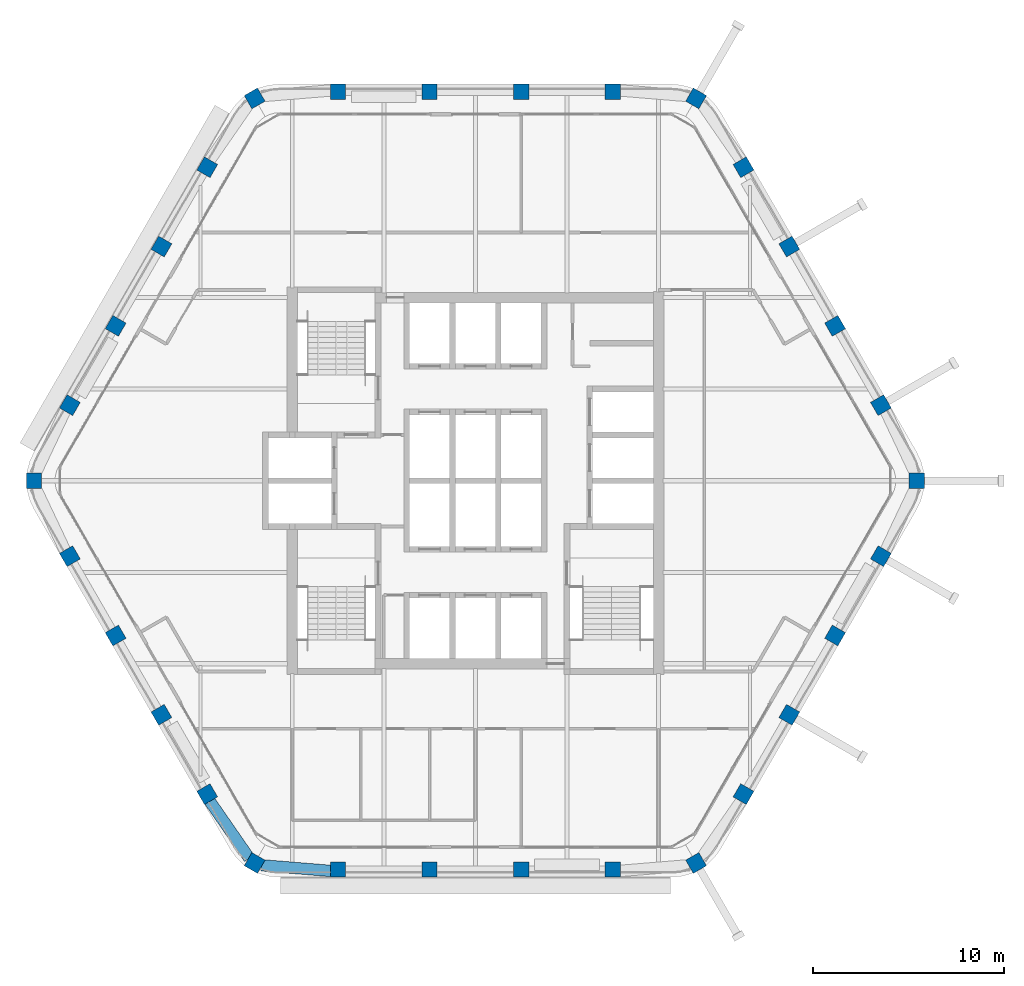
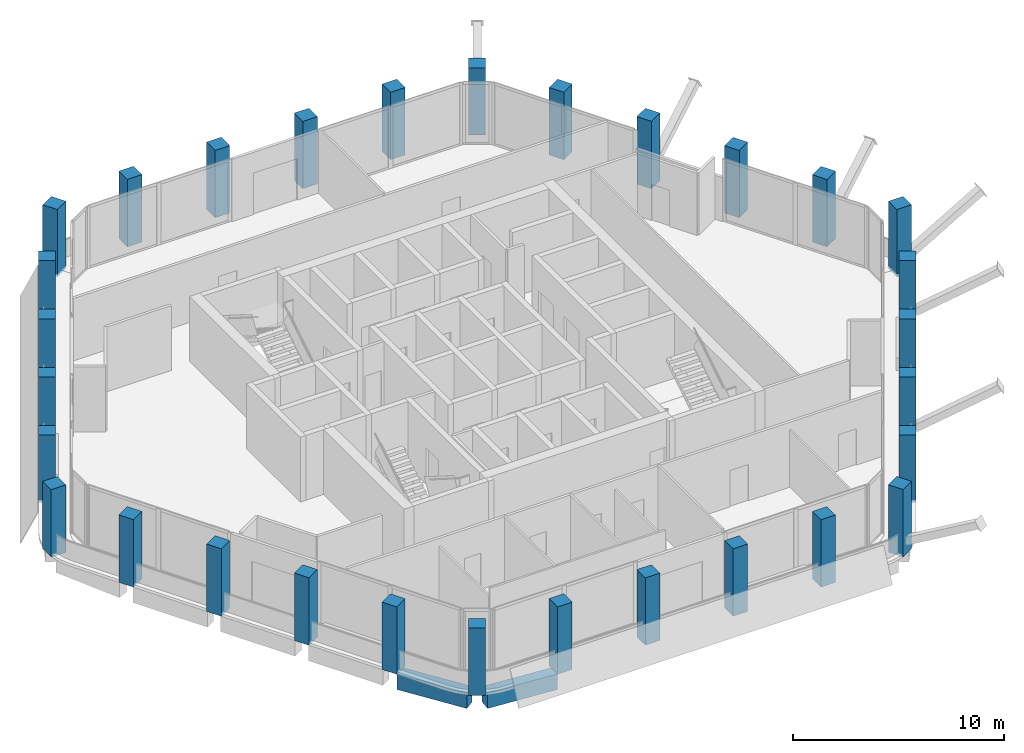
# One storey, part 1 of 14: 30 columns, 2 beams.
"""IFC4 building model written with IfcOpenShell, lengths in metres."""

import ifcopenshell
import ifcopenshell.guid

model = None  # the IFC model being written
_history = None  # IfcOwnerHistory: only IFC2X3 demands one
_inside = {}  # id of a spatial element -> (the spatial element, [elements in it])
_under = {}  # id of a project, library or spatial element -> (it, [spatial elements below it])
_declared = {}  # id of a project -> (the project, [libraries it declares])
_typed = {}  # id of a type object -> (the type object, [elements of that type])
_made_of = {}  # id of a material, layer set ... -> (it, [elements and type objects made of it])


def new_model(schema):
    """Start an empty IFC model of exactly this schema.

    Asked for "IFC4X3", IfcOpenShell would pick the latest addendum, in which some entities
    have other attributes; the version numbers below select the first issue.
    IFC2X3 requires an IfcOwnerHistory on every rooted entity: one is made here for all.
    """
    global model, _history
    if schema == "IFC4X3":
        model = ifcopenshell.file(schema_version=(4, 3, 0, 0))
    else:
        model = ifcopenshell.file(schema=schema)
    _inside.clear()
    _under.clear()
    _declared.clear()
    _typed.clear()
    _made_of.clear()
    _history = None
    if model.schema == "IFC2X3":
        org = make("IfcOrganization", Name="unknown")
        user = make(
            "IfcPersonAndOrganization",
            ThePerson=make("IfcPerson", FamilyName="unknown"),
            TheOrganization=org,
        )
        app = make(
            "IfcApplication",
            ApplicationDeveloper=org,
            Version="unknown",
            ApplicationFullName="unknown",
            ApplicationIdentifier="unknown",
        )
        _history = make(
            "IfcOwnerHistory",
            OwningUser=user,
            OwningApplication=app,
            ChangeAction="ADDED",
            CreationDate=0,
        )
    return model


def make(cls, **values):
    """One entity of the class cls with the attributes given. An attribute that is None is left unset."""
    return model.create_entity(
        cls, **{name: value for name, value in values.items() if value is not None}
    )


def rooted(cls, **values):
    """An entity with a GlobalId (a new one), such as an element, a storey or a relation."""
    return make(cls, GlobalId=ifcopenshell.guid.new(), OwnerHistory=_history, **values)


def si_unit(unit_type, name, prefix=None):
    """IfcSIUnit, for example si_unit("LENGTHUNIT", "METRE", prefix="MILLI")."""
    return make("IfcSIUnit", UnitType=unit_type, Prefix=prefix, Name=name)


def assignment(units):
    """IfcUnitAssignment: the units of a project."""
    return None if units is None else make("IfcUnitAssignment", Units=units)


def point(xyz):
    """IfcCartesianPoint."""
    return None if xyz is None else make("IfcCartesianPoint", Coordinates=xyz)


def direction(xyz):
    """IfcDirection."""
    return None if xyz is None else make("IfcDirection", DirectionRatios=xyz)


def frame(location, z_axis=None, x_axis=None):
    """IfcAxis2Placement3D, a coordinate frame: its origin and axes. An axis left out is left unset."""
    return make(
        "IfcAxis2Placement3D",
        Location=point(location),
        Axis=direction(z_axis),
        RefDirection=direction(x_axis),
    )


def frame_2d(location, x_axis=None):
    """IfcAxis2Placement2D, a coordinate frame in the plane: its origin and x axis."""
    return make(
        "IfcAxis2Placement2D", Location=point(location), RefDirection=direction(x_axis)
    )


def origin():
    """The frame at (0, 0, 0) with its axes left unset."""
    return frame((0.0, 0.0, 0.0))


def origin_2d():
    """The frame at (0, 0) in the plane with its x axis left unset."""
    return frame_2d((0.0, 0.0))


def place(relative_to, where):
    """IfcLocalPlacement: puts the frame where relative to a parent placement (None: the world)."""
    return make(
        "IfcLocalPlacement", PlacementRelTo=relative_to, RelativePlacement=where
    )


def context(
    kind, dimensions, precision=None, world=None, true_north=None, identifier=None
):
    """IfcGeometricRepresentationContext, for example the 3D "Model" context."""
    return make(
        "IfcGeometricRepresentationContext",
        ContextIdentifier=identifier,
        ContextType=kind,
        CoordinateSpaceDimension=dimensions,
        Precision=precision,
        WorldCoordinateSystem=world,
        TrueNorth=true_north,
    )


def subcontext(parent, identifier, kind, view, scale=None):
    """IfcGeometricRepresentationSubContext, for example "Body" below "Model"."""
    return make(
        "IfcGeometricRepresentationSubContext",
        ContextIdentifier=identifier,
        ContextType=kind,
        ParentContext=parent,
        TargetScale=scale,
        TargetView=view,
    )


def project(units=None, contexts=None):
    """IfcProject with its units and contexts."""
    return rooted(
        "IfcProject",
        Name="project",
        RepresentationContexts=contexts,
        UnitsInContext=assignment(units),
    )


def spatial(cls, under=None, at=None, **own):
    """A site, building, storey or space (cls), placed at a placement, below another one or the project."""
    s = rooted(cls, ObjectPlacement=at, **own)
    if under is not None:
        _under.setdefault(under.id(), (under, []))[1].append(s)
    return s


def profile(cls, at=None, kind="AREA", **sizes):
    """A parametric profile (cls). Its sizes go by their IFC names, for example OverallWidth=200.0."""
    return make(cls, ProfileType=kind, Position=at, **sizes)


def rectangle(**sizes):
    """IfcRectangleProfileDef."""
    return profile("IfcRectangleProfileDef", **sizes)


def extrude(swept, where, along, depth):
    """IfcExtrudedAreaSolid: the profile swept, set in the frame where, extruded along a direction by depth."""
    return make(
        "IfcExtrudedAreaSolid",
        SweptArea=swept,
        Position=where,
        ExtrudedDirection=direction(along),
        Depth=depth,
    )


def shape(context_of_items, identifier, shape_type, items):
    """IfcShapeRepresentation: the items that make up one representation, for example the "Body"."""
    return make(
        "IfcShapeRepresentation",
        ContextOfItems=context_of_items,
        RepresentationIdentifier=identifier,
        RepresentationType=shape_type,
        Items=items,
    )


def material(Name=None, Category=None):
    """IfcMaterial."""
    return make("IfcMaterial", Name=Name, Category=Category)


def material_profile(
    of_material, cross_section, Name=None, Category=None, Priority=None
):
    """IfcMaterialProfile: a cross section and its material."""
    return make(
        "IfcMaterialProfile",
        Name=Name,
        Material=of_material,
        Profile=cross_section,
        Priority=Priority,
        Category=Category,
    )


def profile_set(profiles, Name=None, composite=None):
    """IfcMaterialProfileSet."""
    return make(
        "IfcMaterialProfileSet",
        Name=Name,
        MaterialProfiles=profiles,
        CompositeProfile=composite,
    )


def made_of(thing, what):
    """Note that an element or type object is made of a material, layer set ...; save() writes the relation."""
    if what is not None:
        _made_of.setdefault(what.id(), (what, []))[1].append(thing)
    return thing


def type_object(cls, material=None, **own):
    """A type object (cls), such as IfcWallType, which elements share."""
    return made_of(rooted(cls, **own), material)


def element(
    cls,
    number,
    at=None,
    inside=None,
    cuts=None,
    type_object=None,
    material=None,
    context=None,
    identifier="Body",
    shape_type=None,
    held_by="IfcProductDefinitionShape",
    body=None,
    shapes=None,
    **own,
):
    """One element of the class cls, such as IfcWall. Its Tag is "e" and its number.

    at: its placement. inside: the storey or other place that contains it. cuts: it is an
    opening in that element (IfcRelVoidsElement). A single representation is given by context,
    identifier, shape_type and body (its items); several are given by shapes. held_by: the class
    of the entity that holds the representations. save() writes the other relations.
    """
    e = rooted(cls, Tag="e%d" % number, ObjectPlacement=at, **own)
    if body is not None:
        shapes = [shape(context, identifier, shape_type, body)]
    if shapes is not None:
        e.Representation = make(held_by, Representations=shapes)
    if inside is not None:
        _inside.setdefault(inside.id(), (inside, []))[1].append(e)
    if cuts is not None:
        rooted(
            "IfcRelVoidsElement", RelatingBuildingElement=cuts, RelatedOpeningElement=e
        )
    if type_object is not None:
        _typed.setdefault(type_object.id(), (type_object, []))[1].append(e)
    return made_of(e, material)


def aggregate(whole, parts):
    """IfcRelAggregates: a whole, such as a stair, and the parts it consists of."""
    return rooted("IfcRelAggregates", RelatingObject=whole, RelatedObjects=parts)


def save(model, path):
    """Write the relations noted so far, then the file.

    IfcRelAggregates (storeys below a building ...), IfcRelContainedInSpatialStructure (elements
    in a storey), IfcRelDefinesByType, IfcRelAssociatesMaterial and IfcRelDeclares: one each for
    every whole, place, type object, material and project.
    """
    for whole, parts in _under.values():
        aggregate(whole, parts)
    for where, things in _inside.values():
        rooted(
            "IfcRelContainedInSpatialStructure",
            RelatedElements=things,
            RelatingStructure=where,
        )
    for kind, things in _typed.values():
        rooted("IfcRelDefinesByType", RelatedObjects=things, RelatingType=kind)
    for what, things in _made_of.values():
        rooted("IfcRelAssociatesMaterial", RelatedObjects=things, RelatingMaterial=what)
    for by, libraries in _declared.values():
        rooted("IfcRelDeclares", RelatingContext=by, RelatedDefinitions=libraries)
    model.write(path)


model = new_model("IFC4")

# Units and contexts
model_context = context("Model", 3, precision=1e-05, world=origin(), true_north=direction((0.0, 1.0)))
body_context = subcontext(model_context, "Body", "Model", "MODEL_VIEW")
ifc_project = project(units=[si_unit("LENGTHUNIT", "METRE"), si_unit("AREAUNIT", "SQUARE_METRE"), si_unit("VOLUMEUNIT", "CUBIC_METRE"), si_unit("PLANEANGLEUNIT", "RADIAN"), si_unit("MASSUNIT", "GRAM", prefix="KILO")], contexts=[model_context])

# Site, building, storey
site_placement = place(None, origin())
site = spatial("IfcSite", under=ifc_project, at=site_placement, CompositionType="ELEMENT")
building_placement = place(site_placement, origin())
building = spatial("IfcBuilding", under=site, at=building_placement, Name="Kolab Exchange Tower", CompositionType="ELEMENT")
storey_placement = place(building_placement, frame((0.0, 0.0, 281.300048828125)))
storey = spatial("IfcBuildingStorey", under=building, at=storey_placement, Name="L63", CompositionType="ELEMENT", Elevation=281.300048828125)

# Columns
ifc_material = material(Name="Concrete C50/60", Category="concrete")
ifc_material_profile_1 = material_profile(ifc_material, rectangle(XDim=0.800048828125, YDim=0.800048828125, at=origin_2d()), Name="RC800")
ifc_profile_set_1 = profile_set([ifc_material_profile_1], Name="Concrete C50/60")
column_type = type_object("IfcColumnType", Name="PERIMETER COLUMN 800 SQ C50/60", PredefinedType="COLUMN", material=ifc_profile_set_1)
for number, where, z_axis, x_axis, name in (
    (1, (-11.56787109375, 20.036376953125, -0.150146484375), (0.0, 0.0, 1.0), (0.866025403784, 0.5, 0.0), "col/L63/F1-01"),
    (2, (-7.199951171875, 20.384521484375, -0.150146484375), (0.0, 0.0, 1.0), (1.0, 0.0, 0.0), "col/L63/F1-02"),
    (3, (-2.39990234375, 20.384521484375, -0.150146484375), (0.0, 0.0, 1.0), (1.0, 0.0, 0.0), "col/L63/F1-03"),
    (4, (2.39990234375, 20.384521484375, -0.150146484375), (0.0, 0.0, 1.0), (1.0, 0.0, 0.0), "col/L63/F1-04"),
    (5, (7.199951171875, 20.384521484375, -0.150146484375), (0.0, 0.0, 1.0), (1.0, 0.0, 0.0), "col/L63/F1-05"),
    (6, (11.56787109375, 20.036376953125, -0.150146484375), (0.0, 0.0, 1.0), (0.5, 0.866025403784, 0.0), "col/L63/F2-01"),
    (7, (14.0537109375, 16.427734375, -0.150146484375), (0.0, 0.0, 1.0), (0.866025403784, 0.5, 0.0), "col/L63/F2-02"),
    (8, (16.45361328125, 12.270751953125, -0.150146484375), (0.0, 0.0, 1.0), (0.866025403784, 0.5, 0.0), "col/L63/F2-03"),
    (9, (18.853515625, 8.11376953125, -0.150146484375), (0.0, 0.0, 1.0), (0.866025403784, 0.5, 0.0), "col/L63/F2-04"),
    (10, (21.253662109375, 3.95703125, -0.150146484375), (0.0, 0.0, 1.0), (0.866025403784, 0.5, 0.0), "col/L63/F2-05"),
    (11, (23.135986328125, 0.0, -0.150146484375), (0.0, 0.0, 1.0), (1.0, 0.0, 0.0), "col/L63/F3-01"),
    (12, (21.253662109375, -3.95703125, -0.150146484375), (0.0, 0.0, 1.0), (0.5, 0.866025403784, 0.0), "col/L63/F3-02"),
    (13, (18.853515625, -8.11376953125, -0.150146484375), (0.0, 0.0, 1.0), (0.5, 0.866025403784, 0.0), "col/L63/F3-03"),
    (14, (16.45361328125, -12.270751953125, -0.150146484375), (0.0, 0.0, 1.0), (0.5, 0.866025403784, 0.0), "col/L63/F3-04"),
    (15, (14.0537109375, -16.427734375, -0.150146484375), (0.0, 0.0, 1.0), (0.5, 0.866025403784, 0.0), "col/L63/F3-05"),
    (16, (11.56787109375, -20.036376953125, -0.150146484375), (0.0, 0.0, 1.0), (0.866025403784, 0.5, 0.0), "col/L63/F4-01"),
    (17, (7.199951171875, -20.384521484375, -0.150146484375), (0.0, 0.0, 1.0), (1.0, 0.0, 0.0), "col/L63/F4-02"),
    (18, (2.39990234375, -20.384521484375, -0.150146484375), (0.0, 0.0, 1.0), (1.0, 0.0, 0.0), "col/L63/F4-03"),
    (19, (-2.39990234375, -20.384521484375, -0.150146484375), (0.0, 0.0, 1.0), (1.0, 0.0, 0.0), "col/L63/F4-04"),
    (20, (-7.199951171875, -20.384521484375, -0.150146484375), (0.0, 0.0, 1.0), (1.0, 0.0, 0.0), "col/L63/F4-05"),
    (21, (-11.56787109375, -20.036376953125, -0.150146484375), (0.0, 0.0, 1.0), (0.5, 0.866025403784, 0.0), "col/L63/F5-01"),
    (22, (-14.0537109375, -16.427734375, -0.150146484375), (0.0, 0.0, 1.0), (0.866025403784, 0.5, 0.0), "col/L63/F5-02"),
    (23, (-16.45361328125, -12.270751953125, -0.150146484375), (0.0, 0.0, 1.0), (0.866025403784, 0.5, 0.0), "col/L63/F5-03"),
    (24, (-18.853515625, -8.11376953125, -0.150146484375), (0.0, 0.0, 1.0), (0.866025403784, 0.5, 0.0), "col/L63/F5-04"),
    (25, (-21.253662109375, -3.95703125, -0.150146484375), (0.0, 0.0, 1.0), (0.866025403784, 0.5, 0.0), "col/L63/F5-05"),
    (26, (-23.135986328125, 0.0, -0.150146484375), (0.0, 0.0, 1.0), (1.0, 0.0, 0.0), "col/L63/F6-01"),
    (27, (-21.253662109375, 3.95703125, -0.150146484375), (0.0, 0.0, 1.0), (0.5, 0.866025403784, 0.0), "col/L63/F6-02"),
    (28, (-18.853515625, 8.11376953125, -0.150146484375), (0.0, 0.0, 1.0), (0.5, 0.866025403784, 0.0), "col/L63/F6-03"),
    (29, (-16.45361328125, 12.270751953125, -0.150146484375), (0.0, 0.0, 1.0), (0.5, 0.866025403784, 0.0), "col/L63/F6-04"),
    (30, (-14.0537109375, 16.427734375, -0.150146484375), (0.0, 0.0, 1.0), (0.5, 0.866025403784, 0.0), "col/L63/F6-05"),
):
    element("IfcColumn", number, at=place(storey_placement, frame(where, z_axis=z_axis, x_axis=x_axis)), inside=storey, type_object=column_type, Name=name, PredefinedType="COLUMN", context=body_context, shape_type="SweptSolid", body=[
        extrude(rectangle(XDim=0.800048828125, YDim=0.800048828125, at=origin_2d()), origin(), (0.0, 0.0, 1.0), 3.900146484375),
    ])

# Beams
ifc_material_profile_2 = material_profile(ifc_material, rectangle(XDim=0.60009765625, YDim=0.89990234375, at=origin_2d()), Name="RC600X900")
ifc_profile_set_2 = profile_set([ifc_material_profile_2], Name="Concrete C50/60")
beam_type = type_object("IfcBeamType", Name="SPANDREL BEAM 600X900 C50/60", PredefinedType="BEAM", material=ifc_profile_set_2)
for number, where, z_axis, x_axis, name in (
    (31, (-7.56005859375, -20.455078125, -0.60009765625), (-0.996666751878, 0.081580547323, 0.0), (-0.081580547323, -0.996666751878, 0.0), "beam/L63/sp/F4-05"),
    (32, (-11.846923828125, -19.7919921875, -0.60009765625), (-0.569005808573, 0.822333502789, 0.0), (-0.822333502789, -0.569005808573, 0.0), "beam/L63/sp/F5-01"),
):
    element("IfcBeam", number, at=place(storey_placement, frame(where, z_axis=z_axis, x_axis=x_axis)), inside=storey, type_object=beam_type, Name=name, PredefinedType="BEAM", context=body_context, shape_type="SweptSolid", body=[
        extrude(rectangle(XDim=0.60009765625, YDim=0.89990234375, at=origin_2d()), origin(), (0.0, 0.0, 1.0), 3.6689453125),
    ])

save(model, "model.ifc")
